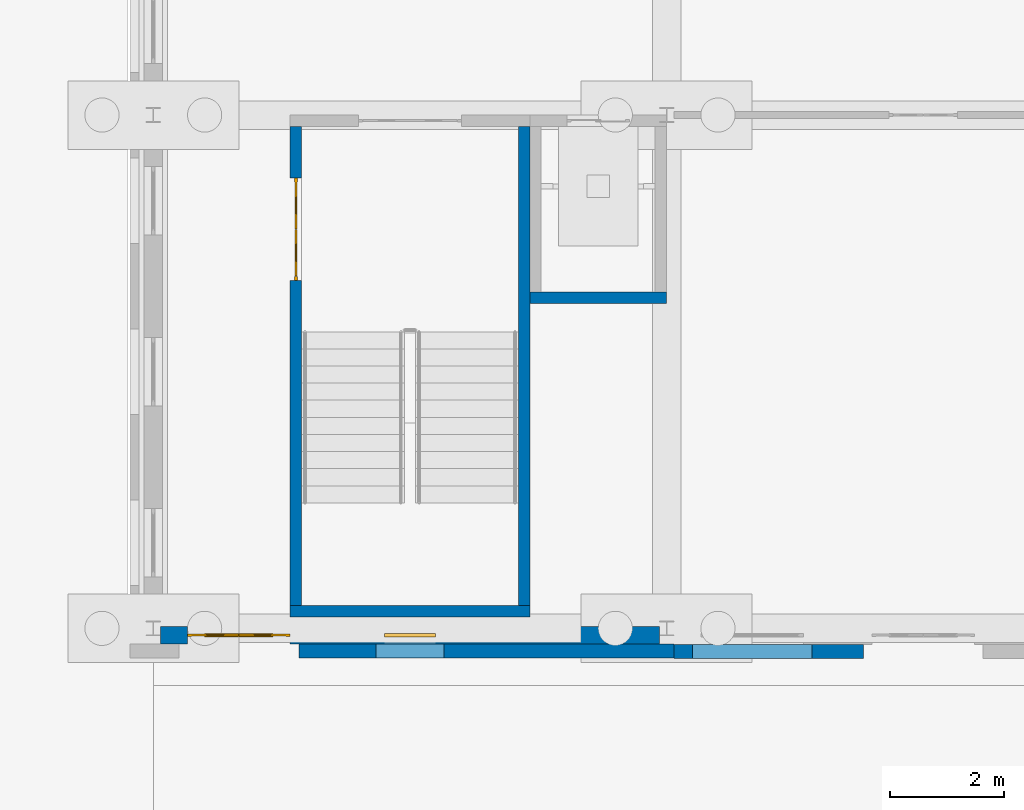
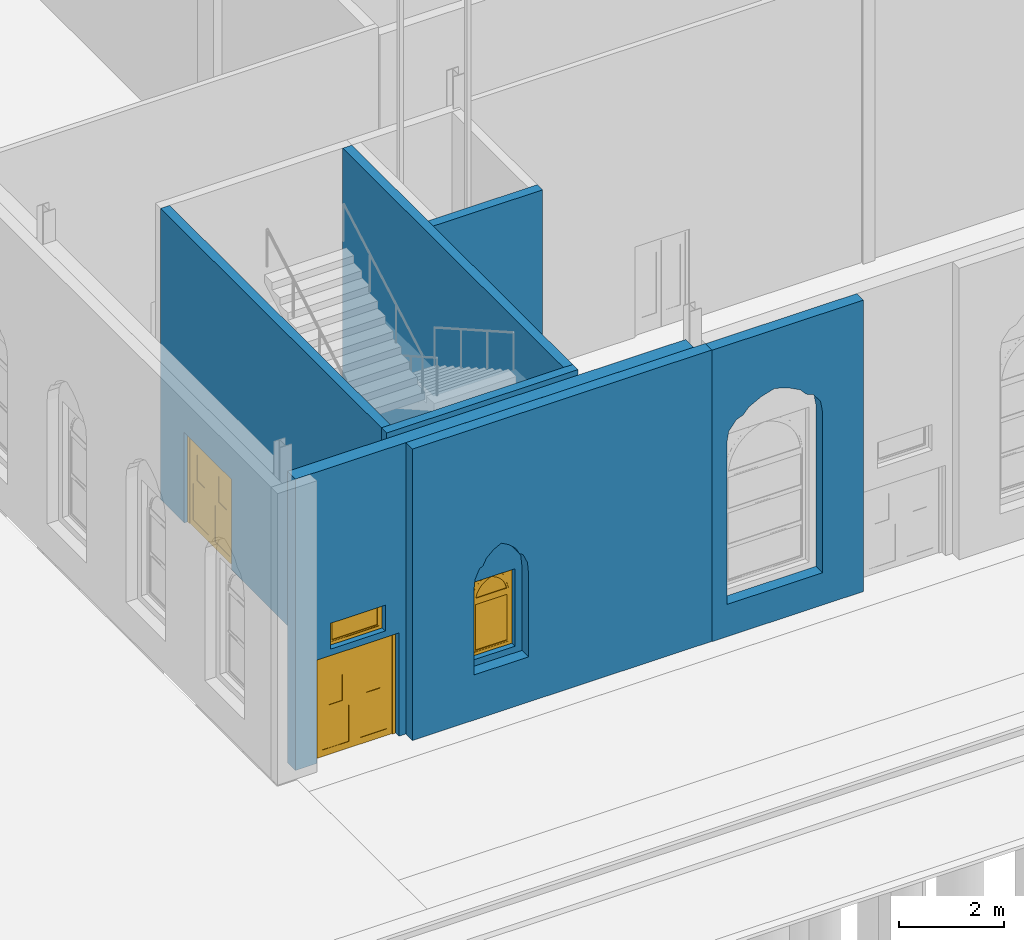
# One storey, part 90 of 250: 7 walls, 2 doors, 2 windows, 4 openings.
"""IFC4 building model written with IfcOpenShell, lengths in metres."""

from ifc_helpers import new_model, si_unit, direction, frame, frame_2d, origin, place, context, subcontext, project, spatial, polyline, rectangle, outline, extrude, material, layer, layer_set, type_object, element, fill, save


model = new_model("IFC4")

# Units and contexts
model_context = context("Model", 3, precision=1e-05, world=origin(), true_north=direction((0.0, 1.0)))
body_context = subcontext(model_context, "Body", "Model", "MODEL_VIEW")
ifc_project = project(units=[si_unit("LENGTHUNIT", "METRE"), si_unit("AREAUNIT", "SQUARE_METRE"), si_unit("VOLUMEUNIT", "CUBIC_METRE"), si_unit("PLANEANGLEUNIT", "RADIAN"), si_unit("MASSUNIT", "GRAM", prefix="KILO")], contexts=[model_context])

# Site, building, storey
site_placement = place(None, origin())
site = spatial("IfcSite", under=ifc_project, at=site_placement, CompositionType="ELEMENT")
building_placement = place(site_placement, origin())
building = spatial("IfcBuilding", under=site, at=building_placement, Name="Baradari Gate Terminus", CompositionType="ELEMENT")
storey_placement = place(building_placement, origin())
storey = spatial("IfcBuildingStorey", under=building, at=storey_placement, Name="L00", CompositionType="ELEMENT", Elevation=0.0)

# Walls
ifc_material_1 = material(Name="Laterite masonry", Category="masonry")
ifc_layer_1 = layer(ifc_material_1, 0.25)
ifc_layer_set_1 = layer_set([ifc_layer_1], Name="Laterite masonry")
wall_type_1 = type_object("IfcWallType", Name="Laterite masonry wall WP-1 250", PredefinedType="SOLIDWALL", material=ifc_layer_set_1)
wall_1_placement = place(storey_placement, frame((65.550048828125, 8.60498046875, 0.0), z_axis=(0.0, 0.0, 1.0), x_axis=(1.0, 0.0, 0.0)))
element("IfcWall", 1, at=wall_1_placement, inside=storey, type_object=wall_type_1, Name="Front course SS 1b 1", PredefinedType="SOLIDWALL", context=body_context, shape_type="SweptSolid", body=[
    extrude(outline(polyline([(0.0, 0.0), (6.577392578125, 0.0), (6.577392578125, 6.767333984375), (0.0, 6.767333984375), (0.0, 0.0)]), holes=[polyline([(1.35009765625, 1.050048828125), (1.35009765625, 3.0), (1.3740234375, 3.251953125), (1.469970703125, 3.468017578125), (1.553955078125, 3.52197265625), (1.6259765625, 3.666015625), (1.781982421875, 3.81005859375), (1.949951171875, 3.89990234375), (2.117919921875, 3.81005859375), (2.27392578125, 3.666015625), (2.345947265625, 3.52197265625), (2.429931640625, 3.468017578125), (2.52587890625, 3.251953125), (2.550048828125, 3.0), (2.550048828125, 1.050048828125), (1.35009765625, 1.050048828125)])]), frame((0.0, 0.125, 0.0), z_axis=(0.0, -1.0, 0.0), x_axis=(1.0, 0.0, 0.0)), (0.0, 0.0, 1.0), 0.25),
])
wall_2_placement = place(storey_placement, frame((72.127197265625, 8.594970703125, 0.0), z_axis=(0.0, 0.0, 1.0), x_axis=(1.0, 0.0, 0.0)))
element("IfcWall", 2, at=wall_2_placement, inside=storey, type_object=wall_type_1, Name="Front course SS 2a 1", PredefinedType="SOLIDWALL", context=body_context, shape_type="SweptSolid", body=[
    extrude(outline(polyline([(0.0, 0.0), (3.32275390625, 0.0), (3.32275390625, 6.767333984375), (0.0, 6.767333984375), (0.0, 0.0)]), holes=[polyline([(0.32275390625, 0.75), (0.32275390625, 4.5), (0.36474609375, 4.751953125), (0.53271484375, 4.968017578125), (0.6796875, 5.02197265625), (0.8056640625, 5.166015625), (1.07861328125, 5.31005859375), (1.372802734375, 5.39990234375), (1.666748046875, 5.31005859375), (1.939697265625, 5.166015625), (2.065673828125, 5.02197265625), (2.212646484375, 4.968017578125), (2.380615234375, 4.751953125), (2.422607421875, 4.5), (2.422607421875, 0.75), (0.32275390625, 0.75)])]), frame((0.0, 0.125, 0.0), z_axis=(0.0, -1.0, 0.0), x_axis=(1.0, 0.0, 0.0)), (0.0, 0.0, 1.0), 0.25),
])
ifc_material_2 = material(Name="Blockwork wall, fire rated", Category="masonry")
ifc_layer_2 = layer(ifc_material_2, 0.199951171875)
ifc_layer_set_2 = layer_set([ifc_layer_2], Name="Blockwork wall, fire rated")
wall_type_2 = type_object("IfcWallType", Name="Lift shaft wall SH-1 200 EI 120", PredefinedType="SOLIDWALL", material=ifc_layer_set_2)
wall_3_placement = place(storey_placement, frame((69.60205078125, 14.800048828125, -1.60009765625), z_axis=(0.0, 0.0, 1.0), x_axis=(1.0, 0.0, 0.0)))
element("IfcWall", 3, at=wall_3_placement, inside=storey, type_object=wall_type_2, Name="Lift shaft wall LSW1 L00 S", PredefinedType="SOLIDWALL", context=body_context, shape_type="SweptSolid", body=[
    extrude(rectangle(XDim=2.39794921875, YDim=0.199951171875, at=frame_2d((1.198974609375, 0.0))), origin(), (0.0, 0.0, 1.0), 8.357177734375),
])

# Wall, openings, windows, door
ifc_material_3 = material(Name="Concrete C32/40", Category="concrete")
ifc_layer_3 = layer(ifc_material_3, 0.2)
ifc_material_4 = material(Name="Sandstone cladding", Category="masonry")
ifc_layer_4 = layer(ifc_material_4, 0.1)
ifc_layer_set_3 = layer_set([ifc_layer_3, ifc_layer_4], Name="Concrete C32/40")
wall_type_3 = type_object("IfcWallType", Name="Stair enclosure cladding wall WS-2 300", PredefinedType="SOLIDWALL", material=ifc_layer_set_3)
wall_4_placement = place(storey_placement, frame((63.127197265625, 8.880126953125, 0.0), z_axis=(0.0, 0.0, 1.0), x_axis=(1.0, 0.0, 0.0)))
wall_4 = element("IfcWall", 4, at=wall_4_placement, inside=storey, type_object=wall_type_3, Name="south front SS bay 8 L00", PredefinedType="SOLIDWALL", context=body_context, shape_type="SweptSolid", body=[
    extrude(rectangle(XDim=8.74560546875, YDim=0.300048828125, at=frame_2d((4.372802734375, 0.0))), origin(), (0.0, 0.0, 1.0), 6.767333984375),
])
opening_1_placement = place(wall_4_placement, frame((0.47265625, 0.0, 0.0)))
opening_1 = element("IfcOpeningElement", 5, at=opening_1_placement, cuts=wall_4, Name="Opening D00-045", PredefinedType="OPENING", context=body_context, shape_type="SweptSolid", body=[
    extrude(rectangle(XDim=1.800048828125, YDim=2.39990234375, at=frame_2d((0.89990234375, 1.199951171875))), frame((0.0, 0.159912109375, 0.0), z_axis=(0.0, -1.0, 0.0), x_axis=(1.0, 0.0, 0.0)), (0.0, 0.0, 1.0), 0.320068359375),
])
opening_2_placement = place(wall_4_placement, frame((0.772705078125, 0.0, 2.550048828125)))
opening_2 = element("IfcOpeningElement", 6, at=opening_2_placement, cuts=wall_4, Name="Opening W10", PredefinedType="OPENING", context=body_context, shape_type="SweptSolid", body=[
    extrude(rectangle(XDim=1.199951171875, YDim=0.60009765625, at=frame_2d((0.60009765625, 0.300048828125))), frame((0.0, 0.159912109375, 0.0), z_axis=(0.0, -1.0, 0.0), x_axis=(1.0, 0.0, 0.0)), (0.0, 0.0, 1.0), 0.320068359375),
])
opening_3_placement = place(wall_4_placement, frame((3.922607421875, 0.0, 1.199951171875)))
opening_3 = element("IfcOpeningElement", 7, at=opening_3_placement, cuts=wall_4, Name="Opening W6", PredefinedType="OPENING", context=body_context, shape_type="SweptSolid", body=[
    extrude(rectangle(XDim=0.89990234375, YDim=1.800048828125, at=frame_2d((0.449951171875, 0.89990234375))), frame((0.0, 0.159912109375, 0.0), z_axis=(0.0, -1.0, 0.0), x_axis=(1.0, 0.0, 0.0)), (0.0, 0.0, 1.0), 0.320068359375),
])
ifc_material_5 = material(Name="Aluminium 6063-T6", Category="aluminium")
window_type_1 = type_object("IfcWindowType", Name="Door fanlight W10 1200x600", PartitioningType="SINGLE_PANEL", PredefinedType="WINDOW", material=ifc_material_5)
window_1_placement = place(opening_2_placement, origin())
window_1 = element("IfcWindow", 8, at=window_1_placement, inside=storey, type_object=window_type_1, Name="Fanlight over Corridor (Stair Passage)", OverallHeight=0.6, OverallWidth=1.2, PartitioningType="SINGLE_PANEL", PredefinedType="WINDOW", context=body_context, shape_type="SweptSolid", body=[
    extrude(outline(polyline([(0.0, 0.0), (1.199951171875, 0.0), (1.199951171875, 0.60009765625), (0.0, 0.60009765625), (0.0, 0.0)]), holes=[polyline([(0.070068359375, 0.070068359375), (1.1298828125, 0.070068359375), (1.1298828125, 0.530029296875), (0.070068359375, 0.530029296875), (0.070068359375, 0.070068359375)])]), frame((0.0, 0.030029296875, 0.0), z_axis=(0.0, -1.0, 0.0), x_axis=(1.0, 0.0, 0.0)), (0.0, 0.0, 1.0), 0.06005859375),
    extrude(outline(polyline([(0.070068359375, 0.070068359375), (1.1298828125, 0.070068359375), (1.1298828125, 0.530029296875), (0.070068359375, 0.530029296875), (0.070068359375, 0.070068359375)]), holes=[polyline([(0.10009765625, 0.10009765625), (1.099853515625, 0.10009765625), (1.099853515625, 0.5), (0.10009765625, 0.5), (0.10009765625, 0.10009765625)])]), frame((0.0, 0.0224609375, 0.0), z_axis=(0.0, -1.0, 0.0), x_axis=(1.0, 0.0, 0.0)), (0.0, 0.0, 1.0), 0.044921875),
    extrude(rectangle(XDim=0.999755859375, YDim=0.39990234375, at=frame_2d((0.60009765625, 0.300048828125))), frame((0.0, 0.006103515625, 0.0), z_axis=(0.0, -1.0, 0.0), x_axis=(1.0, 0.0, 0.0)), (0.0, 0.0, 1.0), 0.01220703125),
])
fill(opening_2, window_1)
ifc_material_6 = material(Name="Steel S235", Category="steel")
door_type_1 = type_object("IfcDoorType", Name="Stair exit door pair, steel DT-4 1800x2400", OperationType="DOUBLE_DOOR_SINGLE_SWING", PredefinedType="DOOR", material=ifc_material_6)
door_1_placement = place(opening_1_placement, frame((1.800048828125, 0.0, 0.0), z_axis=(0.0, 0.0, 1.0), x_axis=(-1.0, 0.0, 0.0)))
door_1 = element("IfcDoor", 9, at=door_1_placement, inside=storey, type_object=door_type_1, Name="Exit door Corridor (Stair Passage)", OperationType="DOUBLE_DOOR_SINGLE_SWING", OverallHeight=2.4, OverallWidth=1.8, PredefinedType="DOOR", context=body_context, shape_type="SweptSolid", body=[
    extrude(outline(polyline([(0.0, 0.0), (0.070068359375, 0.0), (0.070068359375, 2.329833984375), (1.72998046875, 2.329833984375), (1.72998046875, 0.0), (1.800048828125, 0.0), (1.800048828125, 2.39990234375), (0.0, 2.39990234375), (0.0, 0.0)])), frame((0.0, 0.02490234375, 0.0), z_axis=(0.0, -1.0, 0.0), x_axis=(1.0, 0.0, 0.0)), (0.0, 0.0, 1.0), 0.050048828125),
    extrude(outline(polyline([(0.073974609375, 0.010009765625), (0.89697265625, 0.010009765625), (0.89697265625, 2.325927734375), (0.073974609375, 2.325927734375), (0.073974609375, 0.010009765625)]), holes=[polyline([(0.194091796875, 0.159912109375), (0.77685546875, 0.159912109375), (0.77685546875, 1.010009765625), (0.194091796875, 1.010009765625), (0.194091796875, 0.159912109375)]), polyline([(0.33544921875, 1.159912109375), (0.635498046875, 1.159912109375), (0.635498046875, 1.760009765625), (0.33544921875, 1.760009765625), (0.33544921875, 1.159912109375)])]), frame((0.0, 0.017333984375, 0.0), z_axis=(0.0, -1.0, 0.0), x_axis=(1.0, 0.0, 0.0)), (0.0, 0.0, 1.0), 0.034912109375),
    extrude(rectangle(XDim=0.582763671875, YDim=0.85009765625, at=frame_2d((0.4853515625, 0.5849609375))), frame((0.0, 0.008544921875, 0.0), z_axis=(0.0, -1.0, 0.0), x_axis=(1.0, 0.0, 0.0)), (0.0, 0.0, 1.0), 0.017333984375),
    extrude(rectangle(XDim=0.300048828125, YDim=0.60009765625, at=frame_2d((0.4853515625, 1.4599609375))), frame((0.0, 0.005859375, 0.0), z_axis=(0.0, -1.0, 0.0), x_axis=(1.0, 0.0, 0.0)), (0.0, 0.0, 1.0), 0.011962890625),
    extrude(outline(polyline([(0.903076171875, 0.010009765625), (1.72607421875, 0.010009765625), (1.72607421875, 2.325927734375), (0.903076171875, 2.325927734375), (0.903076171875, 0.010009765625)]), holes=[polyline([(1.023193359375, 0.159912109375), (1.60595703125, 0.159912109375), (1.60595703125, 1.010009765625), (1.023193359375, 1.010009765625), (1.023193359375, 0.159912109375)]), polyline([(1.16455078125, 1.159912109375), (1.464599609375, 1.159912109375), (1.464599609375, 1.760009765625), (1.16455078125, 1.760009765625), (1.16455078125, 1.159912109375)])]), frame((0.0, 0.017333984375, 0.0), z_axis=(0.0, -1.0, 0.0), x_axis=(1.0, 0.0, 0.0)), (0.0, 0.0, 1.0), 0.034912109375),
    extrude(rectangle(XDim=0.582763671875, YDim=0.85009765625, at=frame_2d((1.314453125, 0.5849609375))), frame((0.0, 0.008544921875, 0.0), z_axis=(0.0, -1.0, 0.0), x_axis=(1.0, 0.0, 0.0)), (0.0, 0.0, 1.0), 0.017333984375),
    extrude(rectangle(XDim=0.300048828125, YDim=0.60009765625, at=frame_2d((1.314453125, 1.4599609375))), frame((0.0, 0.005859375, 0.0), z_axis=(0.0, -1.0, 0.0), x_axis=(1.0, 0.0, 0.0)), (0.0, 0.0, 1.0), 0.011962890625),
])
fill(opening_1, door_1)
ifc_material_7 = material(Name="Aluminium 6063-T6", Category="aluminium")
window_type_2 = type_object("IfcWindowType", Name="Stair light W6 900x1800", PartitioningType="SINGLE_PANEL", PredefinedType="WINDOW", material=ifc_material_7)
window_2_placement = place(opening_3_placement, origin())
window_2 = element("IfcWindow", 10, at=window_2_placement, inside=storey, type_object=window_type_2, Name="Window W6 SS/07", OverallHeight=1.8, OverallWidth=0.9, PartitioningType="SINGLE_PANEL", PredefinedType="WINDOW", context=body_context, shape_type="SweptSolid", body=[
    extrude(outline(polyline([(0.0, 0.0), (0.89990234375, 0.0), (0.89990234375, 1.23486328125), (0.896240234375, 1.2998046875), (0.885498046875, 1.36376953125), (0.867431640625, 1.42626953125), (0.842529296875, 1.486083984375), (0.811279296875, 1.54296875), (0.773681640625, 1.59619140625), (0.73046875, 1.64453125), (0.68212890625, 1.68798828125), (0.629150390625, 1.7255859375), (0.572265625, 1.757080078125), (0.512451171875, 1.781982421875), (0.449951171875, 1.800048828125), (0.387451171875, 1.781982421875), (0.32763671875, 1.757080078125), (0.270751953125, 1.7255859375), (0.2177734375, 1.68798828125), (0.16943359375, 1.64453125), (0.126220703125, 1.59619140625), (0.088623046875, 1.54296875), (0.057373046875, 1.486083984375), (0.032470703125, 1.42626953125), (0.014404296875, 1.36376953125), (0.003662109375, 1.2998046875), (0.0, 1.23486328125), (0.0, 0.0)]), holes=[polyline([(0.070068359375, 0.070068359375), (0.829833984375, 0.070068359375), (0.829833984375, 1.23486328125), (0.826904296875, 1.290771484375), (0.817626953125, 1.345703125), (0.802734375, 1.399658203125), (0.78173828125, 1.451416015625), (0.75537109375, 1.500732421875), (0.723876953125, 1.546875), (0.6875, 1.58935546875), (0.646728515625, 1.62744140625), (0.60205078125, 1.6611328125), (0.553955078125, 1.689453125), (0.503173828125, 1.712646484375), (0.449951171875, 1.72998046875), (0.396728515625, 1.712646484375), (0.345947265625, 1.689453125), (0.2978515625, 1.6611328125), (0.253173828125, 1.62744140625), (0.21240234375, 1.58935546875), (0.176025390625, 1.546875), (0.14453125, 1.500732421875), (0.1181640625, 1.451416015625), (0.09716796875, 1.399658203125), (0.082275390625, 1.345703125), (0.072998046875, 1.290771484375), (0.070068359375, 1.23486328125), (0.070068359375, 0.070068359375)])]), frame((0.0, 0.030029296875, 0.0), z_axis=(0.0, -1.0, 0.0), x_axis=(1.0, 0.0, 0.0)), (0.0, 0.0, 1.0), 0.06005859375),
    extrude(outline(polyline([(0.0, 1.23486328125), (0.003662109375, 1.2998046875), (0.014404296875, 1.36376953125), (0.032470703125, 1.42626953125), (0.057373046875, 1.486083984375), (0.088623046875, 1.54296875), (0.126220703125, 1.59619140625), (0.16943359375, 1.64453125), (0.2177734375, 1.68798828125), (0.270751953125, 1.7255859375), (0.32763671875, 1.757080078125), (0.387451171875, 1.781982421875), (0.449951171875, 1.800048828125), (0.0, 1.800048828125), (0.0, 1.23486328125)])), frame((0.0, 0.028076171875, 0.0), z_axis=(0.0, -1.0, 0.0), x_axis=(1.0, 0.0, 0.0)), (0.0, 0.0, 1.0), 0.05615234375),
    extrude(outline(polyline([(0.449951171875, 1.800048828125), (0.512451171875, 1.781982421875), (0.572265625, 1.757080078125), (0.629150390625, 1.7255859375), (0.68212890625, 1.68798828125), (0.73046875, 1.64453125), (0.773681640625, 1.59619140625), (0.811279296875, 1.54296875), (0.842529296875, 1.486083984375), (0.867431640625, 1.42626953125), (0.885498046875, 1.36376953125), (0.896240234375, 1.2998046875), (0.89990234375, 1.23486328125), (0.89990234375, 1.800048828125), (0.449951171875, 1.800048828125)])), frame((0.0, 0.027099609375, 0.0), z_axis=(0.0, -1.0, 0.0), x_axis=(1.0, 0.0, 0.0)), (0.0, 0.0, 1.0), 0.05419921875),
    extrude(outline(polyline([(0.82763671875, 1.27490234375), (0.072265625, 1.27490234375), (0.070068359375, 1.23486328125), (0.070068359375, 1.19482421875), (0.829833984375, 1.19482421875), (0.829833984375, 1.23486328125), (0.82763671875, 1.27490234375)])), frame((0.0, 0.02099609375, 0.0), z_axis=(0.0, -1.0, 0.0), x_axis=(1.0, 0.0, 0.0)), (0.0, 0.0, 1.0), 0.0419921875),
    extrude(outline(polyline([(0.070068359375, 0.070068359375), (0.829833984375, 0.070068359375), (0.829833984375, 1.19482421875), (0.070068359375, 1.19482421875), (0.070068359375, 0.070068359375)]), holes=[polyline([(0.10009765625, 0.10009765625), (0.7998046875, 0.10009765625), (0.7998046875, 1.164794921875), (0.10009765625, 1.164794921875), (0.10009765625, 0.10009765625)])]), frame((0.0, 0.0224609375, 0.0), z_axis=(0.0, -1.0, 0.0), x_axis=(1.0, 0.0, 0.0)), (0.0, 0.0, 1.0), 0.044921875),
    extrude(rectangle(XDim=0.69970703125, YDim=1.064697265625, at=frame_2d((0.449951171875, 0.63232421875))), frame((0.0, 0.006103515625, 0.0), z_axis=(0.0, -1.0, 0.0), x_axis=(1.0, 0.0, 0.0)), (0.0, 0.0, 1.0), 0.01220703125),
    extrude(outline(polyline([(0.072265625, 1.27490234375), (0.82763671875, 1.27490234375), (0.826904296875, 1.290771484375), (0.817626953125, 1.345703125), (0.802734375, 1.399658203125), (0.78173828125, 1.451416015625), (0.75537109375, 1.500732421875), (0.723876953125, 1.546875), (0.6875, 1.58935546875), (0.646728515625, 1.62744140625), (0.60205078125, 1.6611328125), (0.553955078125, 1.689453125), (0.503173828125, 1.712646484375), (0.449951171875, 1.72998046875), (0.396728515625, 1.712646484375), (0.345947265625, 1.689453125), (0.2978515625, 1.6611328125), (0.253173828125, 1.62744140625), (0.21240234375, 1.58935546875), (0.176025390625, 1.546875), (0.14453125, 1.500732421875), (0.1181640625, 1.451416015625), (0.09716796875, 1.399658203125), (0.082275390625, 1.345703125), (0.072998046875, 1.290771484375), (0.072265625, 1.27490234375)]), holes=[polyline([(0.11181640625, 1.309814453125), (0.116455078125, 1.338134765625), (0.13037109375, 1.388427734375), (0.14990234375, 1.4365234375), (0.174560546875, 1.482666015625), (0.203857421875, 1.525634765625), (0.23779296875, 1.565185546875), (0.275634765625, 1.6005859375), (0.3173828125, 1.632080078125), (0.362060546875, 1.658447265625), (0.409423828125, 1.679931640625), (0.449951171875, 1.693115234375), (0.490478515625, 1.679931640625), (0.537841796875, 1.658447265625), (0.58251953125, 1.632080078125), (0.624267578125, 1.6005859375), (0.662109375, 1.565185546875), (0.696044921875, 1.525634765625), (0.725341796875, 1.482666015625), (0.75, 1.4365234375), (0.76953125, 1.388427734375), (0.783447265625, 1.338134765625), (0.7880859375, 1.309814453125), (0.11181640625, 1.309814453125)])]), frame((0.0, 0.0224609375, 0.0), z_axis=(0.0, -1.0, 0.0), x_axis=(1.0, 0.0, 0.0)), (0.0, 0.0, 1.0), 0.044921875),
    extrude(outline(polyline([(0.7880859375, 1.309814453125), (0.783447265625, 1.338134765625), (0.76953125, 1.388427734375), (0.75, 1.4365234375), (0.725341796875, 1.482666015625), (0.696044921875, 1.525634765625), (0.662109375, 1.565185546875), (0.624267578125, 1.6005859375), (0.58251953125, 1.632080078125), (0.537841796875, 1.658447265625), (0.490478515625, 1.679931640625), (0.449951171875, 1.693115234375), (0.409423828125, 1.679931640625), (0.362060546875, 1.658447265625), (0.3173828125, 1.632080078125), (0.275634765625, 1.6005859375), (0.23779296875, 1.565185546875), (0.203857421875, 1.525634765625), (0.174560546875, 1.482666015625), (0.14990234375, 1.4365234375), (0.13037109375, 1.388427734375), (0.116455078125, 1.338134765625), (0.11181640625, 1.309814453125), (0.7880859375, 1.309814453125)])), frame((0.0, 0.006103515625, 0.0), z_axis=(0.0, -1.0, 0.0), x_axis=(1.0, 0.0, 0.0)), (0.0, 0.0, 1.0), 0.01220703125),
])
fill(opening_3, window_2)

# Wall
ifc_material_8 = material(Name="Concrete C40/50", Category="concrete")
ifc_layer_5 = layer(ifc_material_8, 0.199951171875)
ifc_layer_set_4 = layer_set([ifc_layer_5], Name="Concrete C40/50")
wall_type_4 = type_object("IfcWallType", Name="Stair enclosure wall SE-5 200 EI 120", PredefinedType="SOLIDWALL", material=ifc_layer_set_4)
wall_5_placement = place(storey_placement, frame((65.39990234375, 9.300048828125, 0.0), z_axis=(0.0, 0.0, 1.0), x_axis=(1.0, 0.0, 0.0)))
element("IfcWall", 11, at=wall_5_placement, inside=storey, type_object=wall_type_4, Name="Stair enclosure wall SE-5 ST-SW1 L00 S", PredefinedType="SOLIDWALL", context=body_context, shape_type="SweptSolid", body=[
    extrude(rectangle(XDim=4.2001953125, YDim=0.199951171875, at=frame_2d((2.10009765625, 0.0))), origin(), (0.0, 0.0, 1.0), 6.757080078125),
])

# Wall, opening, door
wall_6_placement = place(storey_placement, frame((65.5, 9.39990234375, 0.0), z_axis=(0.0, 0.0, 1.0), x_axis=(0.0, 1.0, 0.0)))
wall_6 = element("IfcWall", 12, at=wall_6_placement, inside=storey, type_object=wall_type_4, Name="Stair enclosure wall SE-5 ST-SW1 L00 W", PredefinedType="SOLIDWALL", context=body_context, shape_type="SweptSolid", body=[
    extrude(rectangle(XDim=8.400146484375, YDim=0.199951171875, at=frame_2d((4.2001953125, 0.0))), origin(), (0.0, 0.0, 1.0), 6.757080078125),
])
opening_4_placement = place(wall_6_placement, frame((5.699951171875, 0.0, 0.0)))
opening_4 = element("IfcOpeningElement", 13, at=opening_4_placement, cuts=wall_6, Name="Opening D00-148", PredefinedType="OPENING", context=body_context, shape_type="SweptSolid", body=[
    extrude(rectangle(XDim=1.800048828125, YDim=2.10009765625, at=frame_2d((0.89990234375, 1.050048828125))), frame((0.0, 0.10986328125, 0.0), z_axis=(0.0, -1.0, 0.0), x_axis=(1.0, 0.0, 0.0)), (0.0, 0.0, 1.0), 0.219970703125),
])
ifc_material_9 = material(Name="Steel S275", Category="steel")
door_type_2 = type_object("IfcDoorType", Name="Fire door FI-1800-FD90S 1800x2100 FD90S", OperationType="DOUBLE_DOOR_SINGLE_SWING", PredefinedType="DOOR", material=ifc_material_9)
door_2_placement = place(opening_4_placement, frame((1.800048828125, 0.0, 0.0), z_axis=(0.0, 0.0, 1.0), x_axis=(-1.0, 0.0, 0.0)))
door_2 = element("IfcDoor", 14, at=door_2_placement, inside=storey, type_object=door_type_2, Name="Door Stair (South Wing) 1", OperationType="DOUBLE_DOOR_SINGLE_SWING", OverallHeight=2.1, OverallWidth=1.8, PredefinedType="DOOR", context=body_context, shape_type="SweptSolid", body=[
    extrude(outline(polyline([(0.0, 0.0), (0.070068359375, 0.0), (0.070068359375, 2.030029296875), (1.72998046875, 2.030029296875), (1.72998046875, 0.0), (1.800048828125, 0.0), (1.800048828125, 2.10009765625), (0.0, 2.10009765625), (0.0, 0.0)])), frame((0.0, 0.02490234375, 0.0), z_axis=(0.0, -1.0, 0.0), x_axis=(1.0, 0.0, 0.0)), (0.0, 0.0, 1.0), 0.050048828125),
    extrude(outline(polyline([(0.073974609375, 0.010009765625), (0.89697265625, 0.010009765625), (0.89697265625, 2.026123046875), (0.073974609375, 2.026123046875), (0.073974609375, 0.010009765625)]), holes=[polyline([(0.194091796875, 0.159912109375), (0.77685546875, 0.159912109375), (0.77685546875, 1.010009765625), (0.194091796875, 1.010009765625), (0.194091796875, 0.159912109375)]), polyline([(0.33544921875, 1.159912109375), (0.635498046875, 1.159912109375), (0.635498046875, 1.760009765625), (0.33544921875, 1.760009765625), (0.33544921875, 1.159912109375)])]), frame((0.0, 0.017333984375, 0.0), z_axis=(0.0, -1.0, 0.0), x_axis=(1.0, 0.0, 0.0)), (0.0, 0.0, 1.0), 0.034912109375),
    extrude(rectangle(XDim=0.582763671875, YDim=0.85009765625, at=frame_2d((0.4853515625, 0.5849609375))), frame((0.0, 0.008544921875, 0.0), z_axis=(0.0, -1.0, 0.0), x_axis=(1.0, 0.0, 0.0)), (0.0, 0.0, 1.0), 0.017333984375),
    extrude(rectangle(XDim=0.300048828125, YDim=0.60009765625, at=frame_2d((0.4853515625, 1.4599609375))), frame((0.0, 0.005859375, 0.0), z_axis=(0.0, -1.0, 0.0), x_axis=(1.0, 0.0, 0.0)), (0.0, 0.0, 1.0), 0.011962890625),
    extrude(outline(polyline([(0.903076171875, 0.010009765625), (1.72607421875, 0.010009765625), (1.72607421875, 2.026123046875), (0.903076171875, 2.026123046875), (0.903076171875, 0.010009765625)]), holes=[polyline([(1.023193359375, 0.159912109375), (1.60595703125, 0.159912109375), (1.60595703125, 1.010009765625), (1.023193359375, 1.010009765625), (1.023193359375, 0.159912109375)]), polyline([(1.16455078125, 1.159912109375), (1.464599609375, 1.159912109375), (1.464599609375, 1.760009765625), (1.16455078125, 1.760009765625), (1.16455078125, 1.159912109375)])]), frame((0.0, 0.017333984375, 0.0), z_axis=(0.0, -1.0, 0.0), x_axis=(1.0, 0.0, 0.0)), (0.0, 0.0, 1.0), 0.034912109375),
    extrude(rectangle(XDim=0.582763671875, YDim=0.85009765625, at=frame_2d((1.314453125, 0.5849609375))), frame((0.0, 0.008544921875, 0.0), z_axis=(0.0, -1.0, 0.0), x_axis=(1.0, 0.0, 0.0)), (0.0, 0.0, 1.0), 0.017333984375),
    extrude(rectangle(XDim=0.300048828125, YDim=0.60009765625, at=frame_2d((1.314453125, 1.4599609375))), frame((0.0, 0.005859375, 0.0), z_axis=(0.0, -1.0, 0.0), x_axis=(1.0, 0.0, 0.0)), (0.0, 0.0, 1.0), 0.011962890625),
])
fill(opening_4, door_2)

# Wall
wall_7_placement = place(storey_placement, frame((69.5, 9.39990234375, 0.0), z_axis=(0.0, 0.0, 1.0), x_axis=(0.0, 1.0, 0.0)))
element("IfcWall", 15, at=wall_7_placement, inside=storey, type_object=wall_type_4, Name="Stair enclosure wall SE-5 ST-SW1 L00 E", PredefinedType="SOLIDWALL", context=body_context, shape_type="SweptSolid", body=[
    extrude(rectangle(XDim=8.400146484375, YDim=0.199951171875, at=frame_2d((4.2001953125, 0.0))), origin(), (0.0, 0.0, 1.0), 6.757080078125),
])

save(model, "model.ifc")
